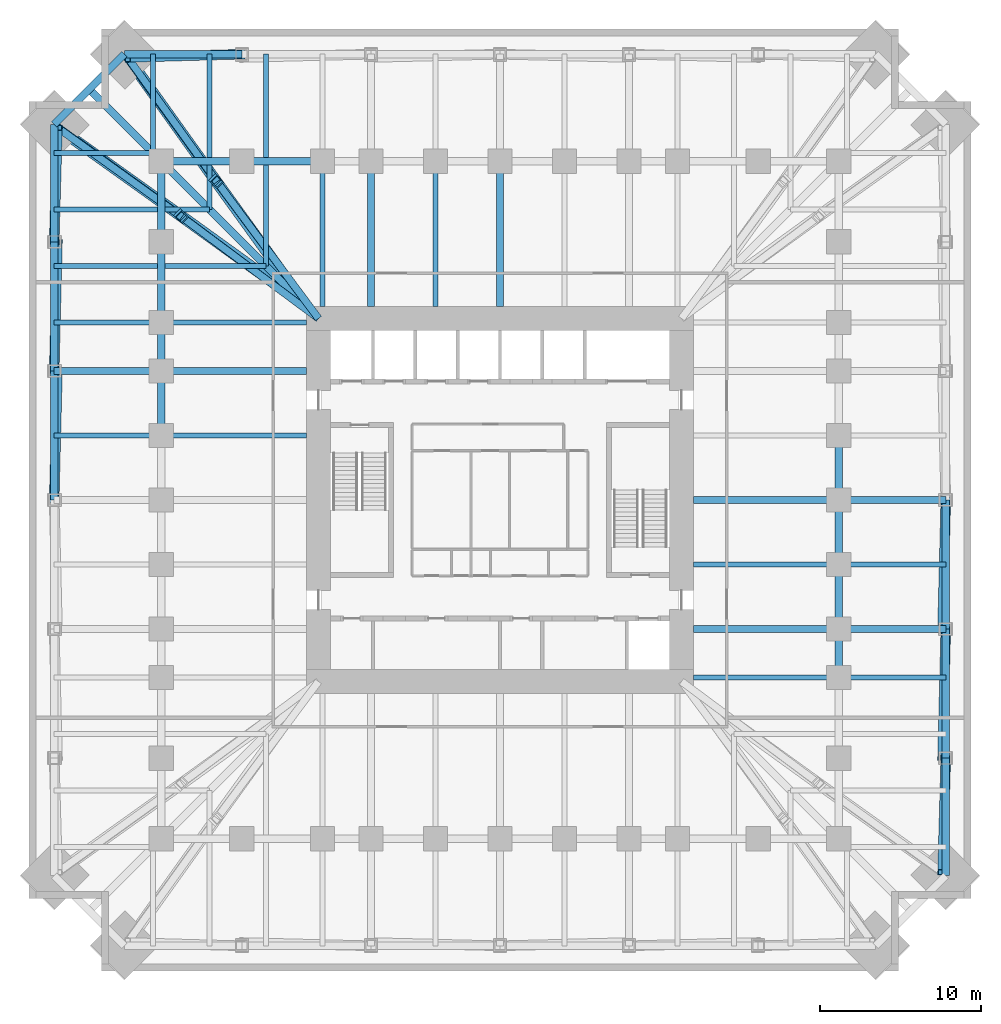
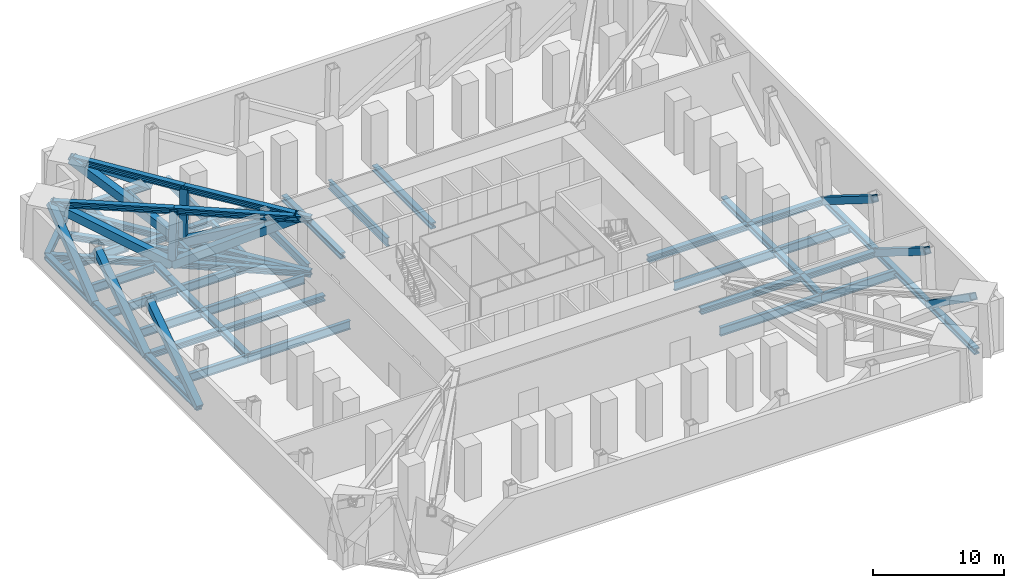
# One storey, part 3 of 9: 41 beams, 28 members.
"""IFC4 building model written with IfcOpenShell, lengths in metres."""

from ifc_helpers import new_model, si_unit, direction, frame, origin, origin_2d, place, context, subcontext, project, spatial, hollow_rectangle, i_section, extrude, material, material_profile, profile_set, type_object, element, save


model = new_model("IFC4")

# Units and contexts
model_context = context("Model", 3, precision=1e-05, world=origin(), true_north=direction((0.0, 1.0)))
body_context = subcontext(model_context, "Body", "Model", "MODEL_VIEW")
ifc_project = project(units=[si_unit("LENGTHUNIT", "METRE"), si_unit("AREAUNIT", "SQUARE_METRE"), si_unit("VOLUMEUNIT", "CUBIC_METRE"), si_unit("PLANEANGLEUNIT", "RADIAN"), si_unit("MASSUNIT", "GRAM", prefix="KILO")], contexts=[model_context])

# Site, building, storey
site_placement = place(None, origin())
site = spatial("IfcSite", under=ifc_project, at=site_placement, CompositionType="ELEMENT")
building_placement = place(site_placement, origin())
building = spatial("IfcBuilding", under=site, at=building_placement, Name="Peilmerk Tower", CompositionType="ELEMENT")
storey_placement = place(building_placement, frame((0.0, 0.0, 81.0)))
storey = spatial("IfcBuildingStorey", under=building, at=storey_placement, Name="L15", CompositionType="ELEMENT", Elevation=81.0)

# Beams
ifc_material = material(Name="Steel S460", Category="steel")
ifc_material_profile_1 = material_profile(ifc_material, i_section(OverallWidth=0.4541015625, OverallDepth=0.569091796875, WebThickness=0.077880859375, FlangeThickness=0.125, at=origin_2d()), Name="HD 400x1086")
ifc_profile_set_1 = profile_set([ifc_material_profile_1], Name="Steel S460")
beam_type_1 = type_object("IfcBeamType", Name="B17 HD 400x1086 edge beam", PredefinedType="SPANDREL", material=ifc_profile_set_1)
beam_1_placement = place(storey_placement, frame((-27.630615234375, 23.28076171875, -0.534423828125), z_axis=(0.707106781187, 0.707106781187, 0.0), x_axis=(-0.707106781187, 0.707106781187, 0.0)))
element("IfcBeam", 1, at=beam_1_placement, inside=storey, type_object=beam_type_1, Name="Notch beam L15", PredefinedType="SPANDREL", context=body_context, shape_type="SweptSolid", body=[
    extrude(i_section(OverallWidth=0.4541015625, OverallDepth=0.569091796875, WebThickness=0.077880859375, FlangeThickness=0.125, at=origin_2d()), origin(), (0.0, 0.0, 1.0), 6.151611328125),
])
ifc_material_profile_2 = material_profile(ifc_material, i_section(OverallWidth=0.302978515625, OverallDepth=0.81396484375, WebThickness=0.02099609375, FlangeThickness=0.0400390625, at=origin_2d()), Name="HEM 800")
ifc_profile_set_2 = profile_set([ifc_material_profile_2], Name="Steel S460")
beam_type_2 = type_object("IfcBeamType", Name="B26 HEM 800 floor beam", PredefinedType="BEAM", material=ifc_profile_set_2)
for number, where, z_axis, x_axis, name in (
    (2, (-4.0, 12.0, -0.656982421875), (0.0, 1.0, 0.0), (-1.0, 0.0, 0.0), "Floor beam L15"),
    (3, (-11.0, 12.0, -0.656982421875), (0.0, 1.0, 0.0), (-1.0, 0.0, 0.0), "Floor beam L15"),
    (4, (12.0, -11.0, -0.656982421875), (1.0, 0.0, 0.0), (0.0, 1.0, 0.0), "Floor beam L15"),
):
    element("IfcBeam", number, at=place(storey_placement, frame(where, z_axis=z_axis, x_axis=x_axis)), inside=storey, type_object=beam_type_2, Name=name, PredefinedType="BEAM", context=body_context, shape_type="SweptSolid", body=[
        extrude(i_section(OverallWidth=0.302978515625, OverallDepth=0.81396484375, WebThickness=0.02099609375, FlangeThickness=0.0400390625, at=origin_2d()), origin(), (0.0, 0.0, 1.0), 9.0),
    ])
beam_2_placement = place(storey_placement, frame((21.0, -11.0, -0.656982421875), z_axis=(1.0, 0.0, 0.0), x_axis=(0.0, 1.0, 0.0)))
element("IfcBeam", 5, at=beam_2_placement, inside=storey, type_object=beam_type_2, Name="Floor beam L15", PredefinedType="BEAM", context=body_context, shape_type="SweptSolid", body=[
    extrude(i_section(OverallWidth=0.302978515625, OverallDepth=0.81396484375, WebThickness=0.02099609375, FlangeThickness=0.0400390625, at=origin_2d()), origin(), (0.0, 0.0, 1.0), 6.630615234375),
])
beam_3_placement = place(storey_placement, frame((12.0, -4.0, -0.656982421875), z_axis=(1.0, 0.0, 0.0), x_axis=(0.0, 1.0, 0.0)))
element("IfcBeam", 6, at=beam_3_placement, inside=storey, type_object=beam_type_2, Name="Floor beam L15", PredefinedType="BEAM", context=body_context, shape_type="SweptSolid", body=[
    extrude(i_section(OverallWidth=0.302978515625, OverallDepth=0.81396484375, WebThickness=0.02099609375, FlangeThickness=0.0400390625, at=origin_2d()), origin(), (0.0, 0.0, 1.0), 9.0),
])
beam_4_placement = place(storey_placement, frame((21.0, -4.0, -0.656982421875), z_axis=(1.0, 0.0, 0.0), x_axis=(0.0, 1.0, 0.0)))
element("IfcBeam", 7, at=beam_4_placement, inside=storey, type_object=beam_type_2, Name="Floor beam L15", PredefinedType="BEAM", context=body_context, shape_type="SweptSolid", body=[
    extrude(i_section(OverallWidth=0.302978515625, OverallDepth=0.81396484375, WebThickness=0.02099609375, FlangeThickness=0.0400390625, at=origin_2d()), origin(), (0.0, 0.0, 1.0), 6.630615234375),
])
beam_5_placement = place(storey_placement, frame((-12.0, 11.0, -0.656982421875), z_axis=(-1.0, 0.0, 0.0), x_axis=(0.0, -1.0, 0.0)))
element("IfcBeam", 8, at=beam_5_placement, inside=storey, type_object=beam_type_2, Name="Floor beam L15", PredefinedType="BEAM", context=body_context, shape_type="SweptSolid", body=[
    extrude(i_section(OverallWidth=0.302978515625, OverallDepth=0.81396484375, WebThickness=0.02099609375, FlangeThickness=0.0400390625, at=origin_2d()), origin(), (0.0, 0.0, 1.0), 9.0),
])
beam_6_placement = place(storey_placement, frame((-21.0, 11.0, -0.656982421875), z_axis=(-1.0, 0.0, 0.0), x_axis=(0.0, -1.0, 0.0)))
element("IfcBeam", 9, at=beam_6_placement, inside=storey, type_object=beam_type_2, Name="Floor beam L15", PredefinedType="BEAM", context=body_context, shape_type="SweptSolid", body=[
    extrude(i_section(OverallWidth=0.302978515625, OverallDepth=0.81396484375, WebThickness=0.02099609375, FlangeThickness=0.0400390625, at=origin_2d()), origin(), (0.0, 0.0, 1.0), 6.630615234375),
])
beam_7_placement = place(storey_placement, frame((-12.0, 4.0, -0.656982421875), z_axis=(-1.0, 0.0, 0.0), x_axis=(0.0, -1.0, 0.0)))
element("IfcBeam", 10, at=beam_7_placement, inside=storey, type_object=beam_type_2, Name="Floor beam L15", PredefinedType="BEAM", context=body_context, shape_type="SweptSolid", body=[
    extrude(i_section(OverallWidth=0.302978515625, OverallDepth=0.81396484375, WebThickness=0.02099609375, FlangeThickness=0.0400390625, at=origin_2d()), origin(), (0.0, 0.0, 1.0), 9.0),
])
beam_8_placement = place(storey_placement, frame((-21.0, 4.0, -0.656982421875), z_axis=(-1.0, 0.0, 0.0), x_axis=(0.0, -1.0, 0.0)))
element("IfcBeam", 11, at=beam_8_placement, inside=storey, type_object=beam_type_2, Name="Floor beam L15", PredefinedType="BEAM", context=body_context, shape_type="SweptSolid", body=[
    extrude(i_section(OverallWidth=0.302978515625, OverallDepth=0.81396484375, WebThickness=0.02099609375, FlangeThickness=0.0400390625, at=origin_2d()), origin(), (0.0, 0.0, 1.0), 6.630615234375),
])
beam_9_placement = place(storey_placement, frame((-14.5, 14.5, -0.656982421875), z_axis=(0.0, 1.0, 0.0), x_axis=(-1.0, 0.0, 0.0)))
element("IfcBeam", 12, at=beam_9_placement, inside=storey, type_object=beam_type_2, Name="Floor beam L15", PredefinedType="BEAM", context=body_context, shape_type="SweptSolid", body=[
    extrude(i_section(OverallWidth=0.302978515625, OverallDepth=0.81396484375, WebThickness=0.02099609375, FlangeThickness=0.0400390625, at=origin_2d()), origin(), (0.0, 0.0, 1.0), 6.27294921875),
])
beam_10_placement = place(storey_placement, frame((-14.5, 21.22705078125, -0.656982421875), z_axis=(0.0, 1.0, 0.0), x_axis=(-1.0, 0.0, 0.0)))
element("IfcBeam", 13, at=beam_10_placement, inside=storey, type_object=beam_type_2, Name="Floor beam L15", PredefinedType="BEAM", context=body_context, shape_type="SweptSolid", body=[
    extrude(i_section(OverallWidth=0.302978515625, OverallDepth=0.81396484375, WebThickness=0.02099609375, FlangeThickness=0.0400390625, at=origin_2d()), origin(), (0.0, 0.0, 1.0), 6.403564453125),
])
beam_11_placement = place(storey_placement, frame((-14.5, 14.5, -0.656982421875), z_axis=(-1.0, 0.0, 0.0), x_axis=(0.0, -1.0, 0.0)))
element("IfcBeam", 14, at=beam_11_placement, inside=storey, type_object=beam_type_2, Name="Floor beam L15", PredefinedType="BEAM", context=body_context, shape_type="SweptSolid", body=[
    extrude(i_section(OverallWidth=0.302978515625, OverallDepth=0.81396484375, WebThickness=0.02099609375, FlangeThickness=0.0400390625, at=origin_2d()), origin(), (0.0, 0.0, 1.0), 6.27294921875),
])
beam_12_placement = place(storey_placement, frame((-21.22705078125, 14.5, -0.656982421875), z_axis=(-1.0, 0.0, 0.0), x_axis=(0.0, -1.0, 0.0)))
element("IfcBeam", 15, at=beam_12_placement, inside=storey, type_object=beam_type_2, Name="Floor beam L15", PredefinedType="BEAM", context=body_context, shape_type="SweptSolid", body=[
    extrude(i_section(OverallWidth=0.302978515625, OverallDepth=0.81396484375, WebThickness=0.02099609375, FlangeThickness=0.0400390625, at=origin_2d()), origin(), (0.0, 0.0, 1.0), 6.403564453125),
])
beam_13_placement = place(storey_placement, frame((-18.0, 18.0, -0.656982421875), z_axis=(0.0, 1.0, 0.0), x_axis=(-1.0, 0.0, 0.0)))
element("IfcBeam", 16, at=beam_13_placement, inside=storey, type_object=beam_type_2, Name="Floor beam L15", PredefinedType="BEAM", context=body_context, shape_type="SweptSolid", body=[
    extrude(i_section(OverallWidth=0.302978515625, OverallDepth=0.81396484375, WebThickness=0.02099609375, FlangeThickness=0.0400390625, at=origin_2d()), origin(), (0.0, 0.0, 1.0), 2.77294921875),
])
beam_14_placement = place(storey_placement, frame((-18.0, 21.22705078125, -0.656982421875), z_axis=(0.0, 1.0, 0.0), x_axis=(-1.0, 0.0, 0.0)))
element("IfcBeam", 17, at=beam_14_placement, inside=storey, type_object=beam_type_2, Name="Floor beam L15", PredefinedType="BEAM", context=body_context, shape_type="SweptSolid", body=[
    extrude(i_section(OverallWidth=0.302978515625, OverallDepth=0.81396484375, WebThickness=0.02099609375, FlangeThickness=0.0400390625, at=origin_2d()), origin(), (0.0, 0.0, 1.0), 6.403564453125),
])
beam_15_placement = place(storey_placement, frame((-18.0, 18.0, -0.656982421875), z_axis=(-1.0, 0.0, 0.0), x_axis=(0.0, -1.0, 0.0)))
element("IfcBeam", 18, at=beam_15_placement, inside=storey, type_object=beam_type_2, Name="Floor beam L15", PredefinedType="BEAM", context=body_context, shape_type="SweptSolid", body=[
    extrude(i_section(OverallWidth=0.302978515625, OverallDepth=0.81396484375, WebThickness=0.02099609375, FlangeThickness=0.0400390625, at=origin_2d()), origin(), (0.0, 0.0, 1.0), 2.77294921875),
])
beam_16_placement = place(storey_placement, frame((-21.22705078125, 18.0, -0.656982421875), z_axis=(-1.0, 0.0, 0.0), x_axis=(0.0, -1.0, 0.0)))
element("IfcBeam", 19, at=beam_16_placement, inside=storey, type_object=beam_type_2, Name="Floor beam L15", PredefinedType="BEAM", context=body_context, shape_type="SweptSolid", body=[
    extrude(i_section(OverallWidth=0.302978515625, OverallDepth=0.81396484375, WebThickness=0.02099609375, FlangeThickness=0.0400390625, at=origin_2d()), origin(), (0.0, 0.0, 1.0), 6.403564453125),
])
for number, where, z_axis, x_axis, name in (
    (20, (-21.5, 21.5, -0.656982421875), (0.0, 1.0, 0.0), (-1.0, 0.0, 0.0), "Floor beam L15"),
    (21, (-21.5, 21.5, -0.656982421875), (-1.0, 0.0, 0.0), (0.0, -1.0, 0.0), "Floor beam L15"),
):
    element("IfcBeam", number, at=place(storey_placement, frame(where, z_axis=z_axis, x_axis=x_axis)), inside=storey, type_object=beam_type_2, Name=name, PredefinedType="BEAM", context=body_context, shape_type="SweptSolid", body=[
        extrude(i_section(OverallWidth=0.302978515625, OverallDepth=0.81396484375, WebThickness=0.02099609375, FlangeThickness=0.0400390625, at=origin_2d()), origin(), (0.0, 0.0, 1.0), 6.130615234375),
    ])
ifc_material_profile_3 = material_profile(ifc_material, i_section(OverallWidth=0.4541015625, OverallDepth=0.569091796875, WebThickness=0.077880859375, FlangeThickness=0.125, at=origin_2d()), Name="HD 400x1086")
ifc_profile_set_3 = profile_set([ifc_material_profile_3], Name="Steel S460")
beam_type_3 = type_object("IfcBeamType", Name="B9 HD 400x1086 corner girder", PredefinedType="BEAM", material=ifc_profile_set_3)
for number, where, z_axis, x_axis, name in (
    (22, (0.0, 12.0, -0.534423828125), (0.0, 1.0, 0.0), (-1.0, 0.0, 0.0), "Floor girder L15"),
    (23, (-8.0, 12.0, -0.534423828125), (0.0, 1.0, 0.0), (-1.0, 0.0, 0.0), "Floor girder L15"),
):
    element("IfcBeam", number, at=place(storey_placement, frame(where, z_axis=z_axis, x_axis=x_axis)), inside=storey, type_object=beam_type_3, Name=name, PredefinedType="BEAM", context=body_context, shape_type="SweptSolid", body=[
        extrude(i_section(OverallWidth=0.4541015625, OverallDepth=0.569091796875, WebThickness=0.077880859375, FlangeThickness=0.125, at=origin_2d()), origin(), (0.0, 0.0, 1.0), 9.0),
    ])
for number, where, z_axis, x_axis, name in (
    (24, (-11.0, 21.0, -0.534423828125), (-1.0, 0.0, 0.0), (0.0, -1.0, 0.0), "Ring girder L15"),
    (25, (-16.0, 21.0, -0.534423828125), (-1.0, 0.0, 0.0), (0.0, -1.0, 0.0), "Ring girder L15"),
):
    element("IfcBeam", number, at=place(storey_placement, frame(where, z_axis=z_axis, x_axis=x_axis)), inside=storey, type_object=beam_type_3, Name=name, PredefinedType="BEAM", context=body_context, shape_type="SweptSolid", body=[
        extrude(i_section(OverallWidth=0.4541015625, OverallDepth=0.569091796875, WebThickness=0.077880859375, FlangeThickness=0.125, at=origin_2d()), origin(), (0.0, 0.0, 1.0), 5.0),
    ])
beam_17_placement = place(storey_placement, frame((12.0, -8.0, -0.534423828125), z_axis=(1.0, 0.0, 0.0), x_axis=(0.0, 1.0, 0.0)))
element("IfcBeam", 26, at=beam_17_placement, inside=storey, type_object=beam_type_3, Name="Floor girder L15", PredefinedType="BEAM", context=body_context, shape_type="SweptSolid", body=[
    extrude(i_section(OverallWidth=0.4541015625, OverallDepth=0.569091796875, WebThickness=0.077880859375, FlangeThickness=0.125, at=origin_2d()), origin(), (0.0, 0.0, 1.0), 9.0),
])
beam_18_placement = place(storey_placement, frame((21.0, -8.0, -0.534423828125), z_axis=(1.0, 0.0, 0.0), x_axis=(0.0, 1.0, 0.0)))
element("IfcBeam", 27, at=beam_18_placement, inside=storey, type_object=beam_type_3, Name="Floor girder L15", PredefinedType="BEAM", context=body_context, shape_type="SweptSolid", body=[
    extrude(i_section(OverallWidth=0.4541015625, OverallDepth=0.569091796875, WebThickness=0.077880859375, FlangeThickness=0.125, at=origin_2d()), origin(), (0.0, 0.0, 1.0), 6.630615234375),
])
beam_19_placement = place(storey_placement, frame((12.0, 0.0, -0.534423828125), z_axis=(1.0, 0.0, 0.0), x_axis=(0.0, 1.0, 0.0)))
element("IfcBeam", 28, at=beam_19_placement, inside=storey, type_object=beam_type_3, Name="Floor girder L15", PredefinedType="BEAM", context=body_context, shape_type="SweptSolid", body=[
    extrude(i_section(OverallWidth=0.4541015625, OverallDepth=0.569091796875, WebThickness=0.077880859375, FlangeThickness=0.125, at=origin_2d()), origin(), (0.0, 0.0, 1.0), 9.0),
])
beam_20_placement = place(storey_placement, frame((21.0, 0.0, -0.534423828125), z_axis=(1.0, 0.0, 0.0), x_axis=(0.0, 1.0, 0.0)))
element("IfcBeam", 29, at=beam_20_placement, inside=storey, type_object=beam_type_3, Name="Floor girder L15", PredefinedType="BEAM", context=body_context, shape_type="SweptSolid", body=[
    extrude(i_section(OverallWidth=0.4541015625, OverallDepth=0.569091796875, WebThickness=0.077880859375, FlangeThickness=0.125, at=origin_2d()), origin(), (0.0, 0.0, 1.0), 6.630615234375),
])
beam_21_placement = place(storey_placement, frame((21.0, -11.0, -0.534423828125), z_axis=(0.0, 1.0, 0.0), x_axis=(-1.0, 0.0, 0.0)))
element("IfcBeam", 30, at=beam_21_placement, inside=storey, type_object=beam_type_3, Name="Ring girder L15", PredefinedType="BEAM", context=body_context, shape_type="SweptSolid", body=[
    extrude(i_section(OverallWidth=0.4541015625, OverallDepth=0.569091796875, WebThickness=0.077880859375, FlangeThickness=0.125, at=origin_2d()), origin(), (0.0, 0.0, 1.0), 3.0),
])
for number, where, z_axis, x_axis, name in (
    (31, (21.0, -8.0, -0.534423828125), (0.0, 1.0, 0.0), (-1.0, 0.0, 0.0), "Ring girder L15"),
    (32, (21.0, -4.0, -0.534423828125), (0.0, 1.0, 0.0), (-1.0, 0.0, 0.0), "Ring girder L15"),
    (33, (21.0, 0.0, -0.534423828125), (0.0, 1.0, 0.0), (-1.0, 0.0, 0.0), "Ring girder L15"),
):
    element("IfcBeam", number, at=place(storey_placement, frame(where, z_axis=z_axis, x_axis=x_axis)), inside=storey, type_object=beam_type_3, Name=name, PredefinedType="BEAM", context=body_context, shape_type="SweptSolid", body=[
        extrude(i_section(OverallWidth=0.4541015625, OverallDepth=0.569091796875, WebThickness=0.077880859375, FlangeThickness=0.125, at=origin_2d()), origin(), (0.0, 0.0, 1.0), 4.0),
    ])
beam_22_placement = place(storey_placement, frame((-12.0, 8.0, -0.534423828125), z_axis=(-1.0, 0.0, 0.0), x_axis=(0.0, -1.0, 0.0)))
element("IfcBeam", 34, at=beam_22_placement, inside=storey, type_object=beam_type_3, Name="Floor girder L15", PredefinedType="BEAM", context=body_context, shape_type="SweptSolid", body=[
    extrude(i_section(OverallWidth=0.4541015625, OverallDepth=0.569091796875, WebThickness=0.077880859375, FlangeThickness=0.125, at=origin_2d()), origin(), (0.0, 0.0, 1.0), 9.0),
])
beam_23_placement = place(storey_placement, frame((-21.0, 8.0, -0.534423828125), z_axis=(-1.0, 0.0, 0.0), x_axis=(0.0, -1.0, 0.0)))
element("IfcBeam", 35, at=beam_23_placement, inside=storey, type_object=beam_type_3, Name="Floor girder L15", PredefinedType="BEAM", context=body_context, shape_type="SweptSolid", body=[
    extrude(i_section(OverallWidth=0.4541015625, OverallDepth=0.569091796875, WebThickness=0.077880859375, FlangeThickness=0.125, at=origin_2d()), origin(), (0.0, 0.0, 1.0), 6.630615234375),
])
for number, where, z_axis, x_axis, name in (
    (36, (-21.0, 21.0, -0.534423828125), (0.0, -1.0, 0.0), (1.0, 0.0, 0.0), "Ring girder L15"),
    (37, (-21.0, 16.0, -0.534423828125), (0.0, -1.0, 0.0), (1.0, 0.0, 0.0), "Ring girder L15"),
):
    element("IfcBeam", number, at=place(storey_placement, frame(where, z_axis=z_axis, x_axis=x_axis)), inside=storey, type_object=beam_type_3, Name=name, PredefinedType="BEAM", context=body_context, shape_type="SweptSolid", body=[
        extrude(i_section(OverallWidth=0.4541015625, OverallDepth=0.569091796875, WebThickness=0.077880859375, FlangeThickness=0.125, at=origin_2d()), origin(), (0.0, 0.0, 1.0), 5.0),
    ])
beam_24_placement = place(storey_placement, frame((-21.0, 11.0, -0.534423828125), z_axis=(0.0, -1.0, 0.0), x_axis=(1.0, 0.0, 0.0)))
element("IfcBeam", 38, at=beam_24_placement, inside=storey, type_object=beam_type_3, Name="Ring girder L15", PredefinedType="BEAM", context=body_context, shape_type="SweptSolid", body=[
    extrude(i_section(OverallWidth=0.4541015625, OverallDepth=0.569091796875, WebThickness=0.077880859375, FlangeThickness=0.125, at=origin_2d()), origin(), (0.0, 0.0, 1.0), 3.0),
])
beam_25_placement = place(storey_placement, frame((-21.0, 8.0, -0.534423828125), z_axis=(0.0, -1.0, 0.0), x_axis=(1.0, 0.0, 0.0)))
element("IfcBeam", 39, at=beam_25_placement, inside=storey, type_object=beam_type_3, Name="Ring girder L15", PredefinedType="BEAM", context=body_context, shape_type="SweptSolid", body=[
    extrude(i_section(OverallWidth=0.4541015625, OverallDepth=0.569091796875, WebThickness=0.077880859375, FlangeThickness=0.125, at=origin_2d()), origin(), (0.0, 0.0, 1.0), 4.0),
])
beam_26_placement = place(storey_placement, frame((-11.25, 11.25, -0.534423828125), z_axis=(-0.707106781187, 0.707106781187, 0.0), x_axis=(-0.707106781187, -0.707106781187, 0.0)))
element("IfcBeam", 40, at=beam_26_placement, inside=storey, type_object=beam_type_3, Name="Corner girder L15", PredefinedType="BEAM", context=body_context, shape_type="SweptSolid", body=[
    extrude(i_section(OverallWidth=0.4541015625, OverallDepth=0.569091796875, WebThickness=0.077880859375, FlangeThickness=0.125, at=origin_2d()), origin(), (0.0, 0.0, 1.0), 13.78857421875),
])
beam_27_placement = place(storey_placement, frame((-21.0, 21.0, -0.534423828125), z_axis=(-0.707106781187, 0.707106781187, 0.0), x_axis=(-0.707106781187, -0.707106781187, 0.0)))
element("IfcBeam", 41, at=beam_27_placement, inside=storey, type_object=beam_type_3, Name="Corner girder L15", PredefinedType="BEAM", context=body_context, shape_type="SweptSolid", body=[
    extrude(i_section(OverallWidth=0.4541015625, OverallDepth=0.569091796875, WebThickness=0.077880859375, FlangeThickness=0.125, at=origin_2d()), origin(), (0.0, 0.0, 1.0), 6.301025390625),
])

# Members
ifc_material_profile_4 = material_profile(ifc_material, i_section(OverallWidth=0.4541015625, OverallDepth=0.569091796875, WebThickness=0.077880859375, FlangeThickness=0.125, at=origin_2d()), Name="HD 400x1086")
ifc_profile_set_4 = profile_set([ifc_material_profile_4], Name="Steel S460")
member_type_1 = type_object("IfcMemberType", Name="M1 HD 400x1086 belt truss chord", PredefinedType="CHORD", material=ifc_profile_set_4)
for number, where, z_axis, x_axis, name in (
    (42, (-16.0, 27.630615234375, -0.534423828125), (-1.0, 0.0, 0.0), (0.0, -1.0, 0.0), "Belt truss chord L15"),
    (43, (27.630615234375, -23.28076171875, -0.534423828125), (0.0, 1.0, 0.0), (-1.0, 0.0, 0.0), "Belt truss chord L15"),
):
    element("IfcMember", number, at=place(storey_placement, frame(where, z_axis=z_axis, x_axis=x_axis)), inside=storey, type_object=member_type_1, Name=name, PredefinedType="CHORD", context=body_context, shape_type="SweptSolid", body=[
        extrude(i_section(OverallWidth=0.4541015625, OverallDepth=0.569091796875, WebThickness=0.077880859375, FlangeThickness=0.125, at=origin_2d()), origin(), (0.0, 0.0, 1.0), 7.28076171875),
    ])
for number, where, z_axis, x_axis, name in (
    (44, (27.630615234375, -16.0, -0.534423828125), (0.0, 1.0, 0.0), (-1.0, 0.0, 0.0), "Belt truss chord L15"),
    (45, (27.630615234375, -8.0, -0.534423828125), (0.0, 1.0, 0.0), (-1.0, 0.0, 0.0), "Belt truss chord L15"),
):
    element("IfcMember", number, at=place(storey_placement, frame(where, z_axis=z_axis, x_axis=x_axis)), inside=storey, type_object=member_type_1, Name=name, PredefinedType="CHORD", context=body_context, shape_type="SweptSolid", body=[
        extrude(i_section(OverallWidth=0.4541015625, OverallDepth=0.569091796875, WebThickness=0.077880859375, FlangeThickness=0.125, at=origin_2d()), origin(), (0.0, 0.0, 1.0), 8.0),
    ])
member_1_placement = place(storey_placement, frame((-27.630615234375, 23.28076171875, -0.534423828125), z_axis=(0.0, -1.0, 0.0), x_axis=(1.0, 0.0, 0.0)))
element("IfcMember", 46, at=member_1_placement, inside=storey, type_object=member_type_1, Name="Belt truss chord L15", PredefinedType="CHORD", context=body_context, shape_type="SweptSolid", body=[
    extrude(i_section(OverallWidth=0.4541015625, OverallDepth=0.569091796875, WebThickness=0.077880859375, FlangeThickness=0.125, at=origin_2d()), origin(), (0.0, 0.0, 1.0), 7.28076171875),
])
for number, where, z_axis, x_axis, name in (
    (47, (-27.630615234375, 16.0, -0.534423828125), (0.0, -1.0, 0.0), (1.0, 0.0, 0.0), "Belt truss chord L15"),
    (48, (-27.630615234375, 8.0, -0.534423828125), (0.0, -1.0, 0.0), (1.0, 0.0, 0.0), "Belt truss chord L15"),
):
    element("IfcMember", number, at=place(storey_placement, frame(where, z_axis=z_axis, x_axis=x_axis)), inside=storey, type_object=member_type_1, Name=name, PredefinedType="CHORD", context=body_context, shape_type="SweptSolid", body=[
        extrude(i_section(OverallWidth=0.4541015625, OverallDepth=0.569091796875, WebThickness=0.077880859375, FlangeThickness=0.125, at=origin_2d()), origin(), (0.0, 0.0, 1.0), 8.0),
    ])
member_2_placement = place(storey_placement, frame((-11.25, 11.25, -0.534423828125), z_axis=(-0.597980379047, 0.801510739962, 0.0), x_axis=(-0.801510739962, -0.597980379047, 0.0)))
element("IfcMember", 49, at=member_2_placement, inside=storey, type_object=member_type_1, Name="Outrigger chord T1 NW", PredefinedType="CHORD", context=body_context, shape_type="SweptSolid", body=[
    extrude(i_section(OverallWidth=0.4541015625, OverallDepth=0.569091796875, WebThickness=0.077880859375, FlangeThickness=0.125, at=origin_2d()), origin(), (0.0, 0.0, 1.0), 10.6865234375),
])
member_3_placement = place(storey_placement, frame((-17.640380859375, 19.8154296875, -0.534423828125), z_axis=(-0.585223235775, 0.810872224403, 0.0), x_axis=(-0.810872224403, -0.585223235775, 0.0)))
element("IfcMember", 50, at=member_3_placement, inside=storey, type_object=member_type_1, Name="Outrigger chord T1 NW", PredefinedType="CHORD", context=body_context, shape_type="SweptSolid", body=[
    extrude(i_section(OverallWidth=0.4541015625, OverallDepth=0.569091796875, WebThickness=0.077880859375, FlangeThickness=0.125, at=origin_2d()), origin(), (0.0, 0.0, 1.0), 9.637939453125),
])
member_4_placement = place(storey_placement, frame((-11.25, 11.25, 4.515380859375), z_axis=(-0.596419475751, 0.802672915293, 0.0), x_axis=(-0.802672915293, -0.596419475751, 0.0)))
element("IfcMember", 51, at=member_4_placement, inside=storey, type_object=member_type_1, Name="Outrigger chord T1 NW", PredefinedType="CHORD", context=body_context, shape_type="SweptSolid", body=[
    extrude(i_section(OverallWidth=0.4541015625, OverallDepth=0.569091796875, WebThickness=0.077880859375, FlangeThickness=0.125, at=origin_2d()), origin(), (0.0, 0.0, 1.0), 10.54541015625),
])
member_5_placement = place(storey_placement, frame((-17.53955078125, 19.714599609375, 4.515380859375), z_axis=(-0.583278981852, 0.812271893722, 0.0), x_axis=(-0.812271893722, -0.583278981852, 0.0)))
element("IfcMember", 52, at=member_5_placement, inside=storey, type_object=member_type_1, Name="Outrigger chord T1 NW", PredefinedType="CHORD", context=body_context, shape_type="SweptSolid", body=[
    extrude(i_section(OverallWidth=0.4541015625, OverallDepth=0.569091796875, WebThickness=0.077880859375, FlangeThickness=0.125, at=origin_2d()), origin(), (0.0, 0.0, 1.0), 9.497314453125),
])
member_6_placement = place(storey_placement, frame((-11.25, 11.25, -0.534423828125), z_axis=(-0.801510739962, 0.597980379047, 0.0), x_axis=(-0.597980379047, -0.801510739962, 0.0)))
element("IfcMember", 53, at=member_6_placement, inside=storey, type_object=member_type_1, Name="Outrigger chord T1 NW", PredefinedType="CHORD", context=body_context, shape_type="SweptSolid", body=[
    extrude(i_section(OverallWidth=0.4541015625, OverallDepth=0.569091796875, WebThickness=0.077880859375, FlangeThickness=0.125, at=origin_2d()), origin(), (0.0, 0.0, 1.0), 10.6865234375),
])
member_7_placement = place(storey_placement, frame((-19.8154296875, 17.640380859375, -0.534423828125), z_axis=(-0.810872224403, 0.585223235775, 0.0), x_axis=(-0.585223235775, -0.810872224403, 0.0)))
element("IfcMember", 54, at=member_7_placement, inside=storey, type_object=member_type_1, Name="Outrigger chord T1 NW", PredefinedType="CHORD", context=body_context, shape_type="SweptSolid", body=[
    extrude(i_section(OverallWidth=0.4541015625, OverallDepth=0.569091796875, WebThickness=0.077880859375, FlangeThickness=0.125, at=origin_2d()), origin(), (0.0, 0.0, 1.0), 9.637939453125),
])
member_8_placement = place(storey_placement, frame((-11.25, 11.25, 4.515380859375), z_axis=(-0.802672915293, 0.596419475751, 0.0), x_axis=(-0.596419475751, -0.802672915293, 0.0)))
element("IfcMember", 55, at=member_8_placement, inside=storey, type_object=member_type_1, Name="Outrigger chord T1 NW", PredefinedType="CHORD", context=body_context, shape_type="SweptSolid", body=[
    extrude(i_section(OverallWidth=0.4541015625, OverallDepth=0.569091796875, WebThickness=0.077880859375, FlangeThickness=0.125, at=origin_2d()), origin(), (0.0, 0.0, 1.0), 10.54541015625),
])
member_9_placement = place(storey_placement, frame((-19.714599609375, 17.53955078125, 4.515380859375), z_axis=(-0.812271893722, 0.583278981852, 0.0), x_axis=(-0.583278981852, -0.812271893722, 0.0)))
element("IfcMember", 56, at=member_9_placement, inside=storey, type_object=member_type_1, Name="Outrigger chord T1 NW", PredefinedType="CHORD", context=body_context, shape_type="SweptSolid", body=[
    extrude(i_section(OverallWidth=0.4541015625, OverallDepth=0.569091796875, WebThickness=0.077880859375, FlangeThickness=0.125, at=origin_2d()), origin(), (0.0, 0.0, 1.0), 9.497314453125),
])
ifc_material_profile_5 = material_profile(ifc_material, hollow_rectangle(XDim=0.60009765625, YDim=0.60009765625, WallThickness=0.06005859375, at=origin_2d()), Name="BOX 600x600x60")
ifc_profile_set_5 = profile_set([ifc_material_profile_5], Name="Steel S460")
member_type_2 = type_object("IfcMemberType", Name="M2 BOX 600x600x60 belt truss diagonal", PredefinedType="BRACE", material=ifc_profile_set_5)
for number, where, z_axis, x_axis, name in (
    (57, (-16.0, 27.630615234375, -0.534423828125), (-0.813878712609, -0.023184708809, 0.580572054477), (0.028475136498, -0.999594501086, 0.0), "Belt truss diagonal T1 N"),
    (58, (27.630615234375, -16.0, -0.534423828125), (-0.023184708809, -0.813878712609, 0.580572054477), (0.999594501086, -0.028475136498, 0.0), "Belt truss diagonal T1 E"),
):
    element("IfcMember", number, at=place(storey_placement, frame(where, z_axis=z_axis, x_axis=x_axis)), inside=storey, type_object=member_type_2, Name=name, PredefinedType="BRACE", context=body_context, shape_type="SweptSolid", body=[
        extrude(hollow_rectangle(XDim=0.60009765625, YDim=0.60009765625, WallThickness=0.06005859375, at=origin_2d()), origin(), (0.0, 0.0, 1.0), 8.697998046875),
    ])
for number, where, z_axis, x_axis, name in (
    (59, (27.630615234375, -8.0, -0.534423828125), (-0.02131123697, -0.845431734913, 0.533658142241), (0.999682441808, -0.025199514677, 0.0), "Belt truss diagonal T1 E"),
    (60, (27.630615234375, 0.0, -0.534423828125), (-0.02131123697, -0.845431734913, 0.533658142241), (0.999682441808, -0.025199514677, 0.0), "Belt truss diagonal T1 E"),
):
    element("IfcMember", number, at=place(storey_placement, frame(where, z_axis=z_axis, x_axis=x_axis)), inside=storey, type_object=member_type_2, Name=name, PredefinedType="BRACE", context=body_context, shape_type="SweptSolid", body=[
        extrude(hollow_rectangle(XDim=0.60009765625, YDim=0.60009765625, WallThickness=0.06005859375, at=origin_2d()), origin(), (0.0, 0.0, 1.0), 9.462646484375),
    ])
member_10_placement = place(storey_placement, frame((-27.630615234375, 16.0, -0.534423828125), z_axis=(0.023184708809, 0.813878712609, 0.580572054477), x_axis=(-0.999594501086, 0.028475136498, 0.0)))
element("IfcMember", 61, at=member_10_placement, inside=storey, type_object=member_type_2, Name="Belt truss diagonal T1 W", PredefinedType="BRACE", context=body_context, shape_type="SweptSolid", body=[
    extrude(hollow_rectangle(XDim=0.60009765625, YDim=0.60009765625, WallThickness=0.06005859375, at=origin_2d()), origin(), (0.0, 0.0, 1.0), 8.697998046875),
])
for number, where, z_axis, x_axis, name in (
    (62, (-27.630615234375, 8.0, -0.534423828125), (0.02131123697, 0.845431734913, 0.533658142241), (-0.999682441808, 0.025199514677, 0.0), "Belt truss diagonal T1 W"),
    (63, (-27.630615234375, 0.0, -0.534423828125), (0.02131123697, 0.845431734913, 0.533658142241), (-0.999682441808, 0.025199514677, 0.0), "Belt truss diagonal T1 W"),
):
    element("IfcMember", number, at=place(storey_placement, frame(where, z_axis=z_axis, x_axis=x_axis)), inside=storey, type_object=member_type_2, Name=name, PredefinedType="BRACE", context=body_context, shape_type="SweptSolid", body=[
        extrude(hollow_rectangle(XDim=0.60009765625, YDim=0.60009765625, WallThickness=0.06005859375, at=origin_2d()), origin(), (0.0, 0.0, 1.0), 9.462646484375),
    ])
ifc_material_profile_6 = material_profile(ifc_material, hollow_rectangle(XDim=0.60009765625, YDim=0.60009765625, WallThickness=0.06005859375, at=origin_2d()), Name="BOX 600x600x60")
ifc_profile_set_6 = profile_set([ifc_material_profile_6], Name="Steel S460")
member_type_3 = type_object("IfcMemberType", Name="M3 BOX 600x600x60 outrigger post", PredefinedType="POST", material=ifc_profile_set_6)
for number, where, z_axis, x_axis, name in (
    (64, (-17.640380859375, 19.8154296875, -0.534423828125), (0.019959168491, -0.019959168491, 0.999601552213), (0.707106781187, 0.707106781187, 0.0), "Outrigger post T1 NW"),
    (65, (-19.8154296875, 17.640380859375, -0.534423828125), (0.019959168491, -0.019959168491, 0.999601552213), (0.707106781187, 0.707106781187, 0.0), "Outrigger post T1 NW"),
):
    element("IfcMember", number, at=place(storey_placement, frame(where, z_axis=z_axis, x_axis=x_axis)), inside=storey, type_object=member_type_3, Name=name, PredefinedType="POST", context=body_context, shape_type="SweptSolid", body=[
        extrude(hollow_rectangle(XDim=0.60009765625, YDim=0.60009765625, WallThickness=0.06005859375, at=origin_2d()), origin(), (0.0, 0.0, 1.0), 5.0517578125),
    ])
ifc_material_profile_7 = material_profile(ifc_material, hollow_rectangle(XDim=0.699951171875, YDim=0.699951171875, WallThickness=0.080078125, at=origin_2d()), Name="BOX 700x700x80")
ifc_profile_set_7 = profile_set([ifc_material_profile_7], Name="Steel S460")
member_type_4 = type_object("IfcMemberType", Name="M4 BOX 700x700x80 outrigger diagonal", PredefinedType="BRACE", material=ifc_profile_set_7)
member_11_placement = place(storey_placement, frame((-17.640380859375, 19.8154296875, -0.534423828125), z_axis=(0.518371457073, -0.718266332677, 0.464095365022), x_axis=(0.810880899672, 0.585211215329, 0.0)))
element("IfcMember", 66, at=member_11_placement, inside=storey, type_object=member_type_4, Name="Outrigger diagonal T1", PredefinedType="BRACE", context=body_context, shape_type="SweptSolid", body=[
    extrude(hollow_rectangle(XDim=0.699951171875, YDim=0.699951171875, WallThickness=0.080078125, at=origin_2d()), origin(), (0.0, 0.0, 1.0), 10.880859375),
])
member_12_placement = place(storey_placement, frame((-17.640380859375, 19.8154296875, -0.534423828125), z_axis=(-0.5115277478, 0.716074552909, 0.474949047695), x_axis=(-0.813708787948, -0.581272748729, 0.0)))
element("IfcMember", 67, at=member_12_placement, inside=storey, type_object=member_type_4, Name="Outrigger diagonal T1", PredefinedType="BRACE", context=body_context, shape_type="SweptSolid", body=[
    extrude(hollow_rectangle(XDim=0.699951171875, YDim=0.699951171875, WallThickness=0.080078125, at=origin_2d()), origin(), (0.0, 0.0, 1.0), 10.63232421875),
])
member_13_placement = place(storey_placement, frame((-19.8154296875, 17.640380859375, -0.534423828125), z_axis=(0.718266332677, -0.518371457073, 0.464095365022), x_axis=(0.585211215329, 0.810880899672, 0.0)))
element("IfcMember", 68, at=member_13_placement, inside=storey, type_object=member_type_4, Name="Outrigger diagonal T1", PredefinedType="BRACE", context=body_context, shape_type="SweptSolid", body=[
    extrude(hollow_rectangle(XDim=0.699951171875, YDim=0.699951171875, WallThickness=0.080078125, at=origin_2d()), origin(), (0.0, 0.0, 1.0), 10.880859375),
])
member_14_placement = place(storey_placement, frame((-19.8154296875, 17.640380859375, -0.534423828125), z_axis=(-0.716074552909, 0.5115277478, 0.474949047695), x_axis=(-0.581272748729, -0.813708787948, 0.0)))
element("IfcMember", 69, at=member_14_placement, inside=storey, type_object=member_type_4, Name="Outrigger diagonal T1", PredefinedType="BRACE", context=body_context, shape_type="SweptSolid", body=[
    extrude(hollow_rectangle(XDim=0.699951171875, YDim=0.699951171875, WallThickness=0.080078125, at=origin_2d()), origin(), (0.0, 0.0, 1.0), 10.63232421875),
])

save(model, "model.ifc")
